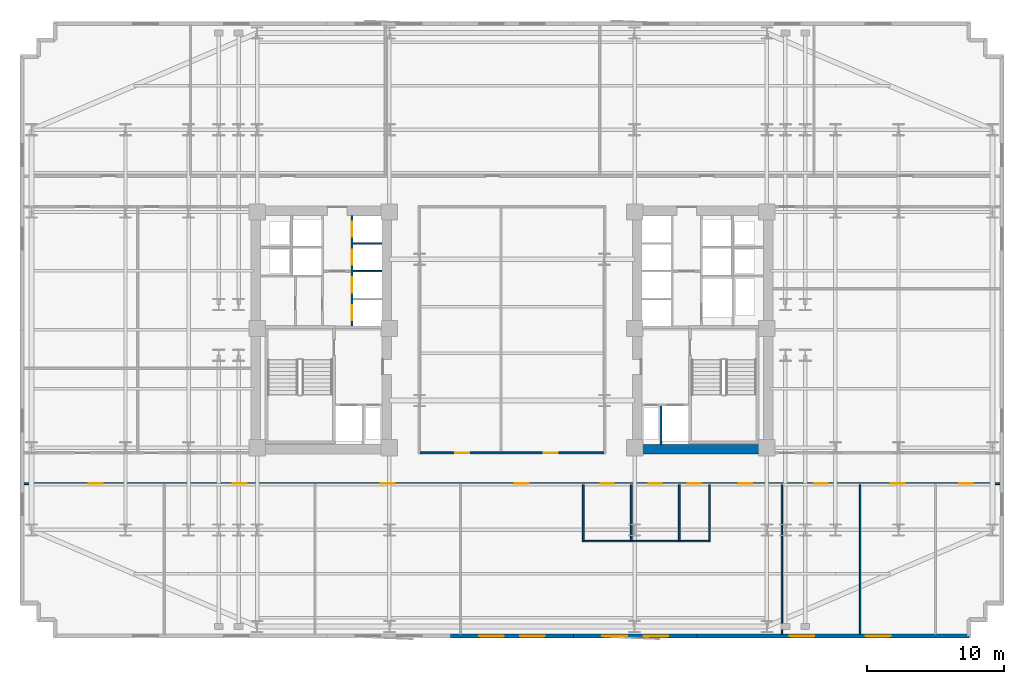
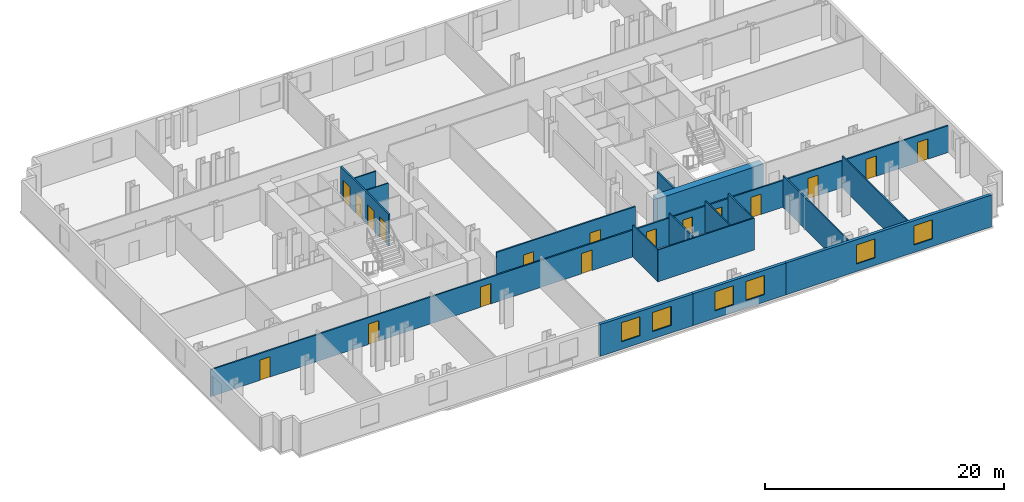
# One storey, part 5 of 10: 17 doors, 17 walls, 6 windows, 23 openings.
"""IFC4 building model written with IfcOpenShell, lengths in metres."""

from ifc_helpers import new_model, si_unit, direction, frame, frame_2d, origin, place, context, subcontext, project, spatial, rectangle, extrude, material, layer, layer_set, type_object, element, fill, save


model = new_model("IFC4")

# Units and contexts
model_context = context("Model", 3, precision=1e-05, world=origin(), true_north=direction((0.0, 1.0)))
body_context = subcontext(model_context, "Body", "Model", "MODEL_VIEW")
ifc_project = project(units=[si_unit("LENGTHUNIT", "METRE"), si_unit("AREAUNIT", "SQUARE_METRE"), si_unit("VOLUMEUNIT", "CUBIC_METRE"), si_unit("PLANEANGLEUNIT", "RADIAN"), si_unit("MASSUNIT", "GRAM", prefix="KILO")], contexts=[model_context])

# Site, building, storey
site_placement = place(None, origin())
site = spatial("IfcSite", under=ifc_project, at=site_placement, CompositionType="ELEMENT")
building_placement = place(site_placement, origin())
building = spatial("IfcBuilding", under=site, at=building_placement, Name="Velakula Bourse", CompositionType="ELEMENT")
storey_placement = place(building_placement, frame((0.0, 0.0, 48.449951171875)))
storey = spatial("IfcBuildingStorey", under=building, at=storey_placement, Name="L12", CompositionType="ELEMENT", Elevation=48.449951171875)

# Wall
ifc_material_1 = material(Name="Concrete M70 (fck 70 MPa)", Category="concrete")
ifc_layer_1 = layer(ifc_material_1, 0.699951171875, Name="Concrete M70 (fck 70 MPa)", Category="concrete")
ifc_layer_set_1 = layer_set([ifc_layer_1], Name="Concrete M70 (fck 70 MPa)")
wall_type_1 = type_object("IfcWallType", Name="WL-CORE-700", PredefinedType="SHEAR", material=ifc_layer_set_1)
wall_1_placement = place(storey_placement, frame((8.800048828125, -8.699951171875, 0.0), z_axis=(0.0, 0.0, 1.0), x_axis=(1.0, 0.0, 0.0)))
element("IfcWall", 1, at=wall_1_placement, inside=storey, type_object=wall_type_1, Name="L12 Core E Shear Wall S", PredefinedType="SHEAR", context=body_context, shape_type="SweptSolid", body=[
    extrude(rectangle(XDim=10.25, YDim=0.699951171875, at=frame_2d((5.125, 0.0))), origin(), (0.0, 0.0, 1.0), 3.27001953125),
])

# Wall, openings, windows
ifc_material_2 = material(Name="Red kilned clay facing brick masonry", Category="masonry")
ifc_layer_2 = layer(ifc_material_2, 0.280029296875, Name="Red kilned clay facing brick masonry", Category="masonry")
ifc_layer_set_2 = layer_set([ifc_layer_2], Name="Red kilned clay facing brick masonry")
wall_type_2 = type_object("IfcWallType", Name="WL-EXT-BRK-280", PredefinedType="STANDARD", material=ifc_layer_set_2)
wall_2_placement = place(storey_placement, frame((4.5, -22.340087890625, 0.0), z_axis=(0.0, 0.0, 1.0), x_axis=(-1.0, 0.0, 0.0)))
wall_2 = element("IfcWall", 2, at=wall_2_placement, inside=storey, type_object=wall_type_2, Name="L12 S Brick Spandrel Wall B3", PredefinedType="STANDARD", context=body_context, shape_type="SweptSolid", body=[
    extrude(rectangle(XDim=9.0, YDim=0.280029296875, at=frame_2d((4.5, 0.0))), origin(), (0.0, 0.0, 1.0), 3.25),
])
opening_1_placement = place(wall_2_placement, frame((2.10009765625, 0.0, 0.760009765625)))
opening_1 = element("IfcOpeningElement", 3, at=opening_1_placement, cuts=wall_2, Name="Opening W-01", PredefinedType="OPENING", context=body_context, shape_type="SweptSolid", body=[
    extrude(rectangle(XDim=1.800048828125, YDim=1.949951171875, at=frame_2d((0.89990234375, 0.97509765625))), frame((0.0, 0.14990234375, 0.0), z_axis=(0.0, -1.0, 0.0), x_axis=(1.0, 0.0, 0.0)), (0.0, 0.0, 1.0), 0.300048828125),
])
opening_2_placement = place(wall_2_placement, frame((5.10009765625, 0.0, 0.760009765625)))
opening_2 = element("IfcOpeningElement", 4, at=opening_2_placement, cuts=wall_2, Name="Opening W-01", PredefinedType="OPENING", context=body_context, shape_type="SweptSolid", body=[
    extrude(rectangle(XDim=1.800048828125, YDim=1.949951171875, at=frame_2d((0.89990234375, 0.97509765625))), frame((0.0, 0.14990234375, 0.0), z_axis=(0.0, -1.0, 0.0), x_axis=(1.0, 0.0, 0.0)), (0.0, 0.0, 1.0), 0.300048828125),
])
ifc_material_3 = material(Name="Double-glazed solar-control Low-E glass", Category="glass")
window_type = type_object("IfcWindowType", Name="WIN-TWR-1800x2100", PartitioningType="SINGLE_PANEL", PredefinedType="WINDOW", material=ifc_material_3)
window_1_placement = place(opening_1_placement, origin())
window_1 = element("IfcWindow", 5, at=window_1_placement, inside=storey, type_object=window_type, Name="L12 Deep-Set Recessed Window 1", OverallHeight=1.949951171875, OverallWidth=1.800048828125, PartitioningType="SINGLE_PANEL", PredefinedType="WINDOW", context=body_context, shape_type="SweptSolid", body=[
    extrude(rectangle(XDim=1.800048828125, YDim=1.949951171875, at=frame_2d((0.89990234375, 0.97509765625))), frame((0.0, 0.030029296875, 0.0), z_axis=(0.0, -1.0, 0.0), x_axis=(1.0, 0.0, 0.0)), (0.0, 0.0, 1.0), 0.06005859375),
])
fill(opening_1, window_1)
window_2_placement = place(opening_2_placement, origin())
window_2 = element("IfcWindow", 6, at=window_2_placement, inside=storey, type_object=window_type, Name="L12 Deep-Set Recessed Window 2", OverallHeight=1.949951171875, OverallWidth=1.800048828125, PartitioningType="SINGLE_PANEL", PredefinedType="WINDOW", context=body_context, shape_type="SweptSolid", body=[
    extrude(rectangle(XDim=1.800048828125, YDim=1.949951171875, at=frame_2d((0.89990234375, 0.97509765625))), frame((0.0, 0.030029296875, 0.0), z_axis=(0.0, -1.0, 0.0), x_axis=(1.0, 0.0, 0.0)), (0.0, 0.0, 1.0), 0.06005859375),
])
fill(opening_2, window_2)

wall_3_placement = place(storey_placement, frame((13.5, -22.340087890625, 0.0), z_axis=(0.0, 0.0, 1.0), x_axis=(-1.0, 0.0, 0.0)))
wall_3 = element("IfcWall", 7, at=wall_3_placement, inside=storey, type_object=wall_type_2, Name="L12 S Brick Spandrel Wall B4", PredefinedType="STANDARD", context=body_context, shape_type="SweptSolid", body=[
    extrude(rectangle(XDim=9.0, YDim=0.280029296875, at=frame_2d((4.5, 0.0))), origin(), (0.0, 0.0, 1.0), 3.25),
])
opening_3_placement = place(wall_3_placement, frame((2.10009765625, 0.0, 0.760009765625)))
opening_3 = element("IfcOpeningElement", 8, at=opening_3_placement, cuts=wall_3, Name="Opening W-01", PredefinedType="OPENING", context=body_context, shape_type="SweptSolid", body=[
    extrude(rectangle(XDim=1.800048828125, YDim=1.949951171875, at=frame_2d((0.89990234375, 0.97509765625))), frame((0.0, 0.14990234375, 0.0), z_axis=(0.0, -1.0, 0.0), x_axis=(1.0, 0.0, 0.0)), (0.0, 0.0, 1.0), 0.300048828125),
])
opening_4_placement = place(wall_3_placement, frame((5.10009765625, 0.0, 0.760009765625)))
opening_4 = element("IfcOpeningElement", 9, at=opening_4_placement, cuts=wall_3, Name="Opening W-01", PredefinedType="OPENING", context=body_context, shape_type="SweptSolid", body=[
    extrude(rectangle(XDim=1.800048828125, YDim=1.949951171875, at=frame_2d((0.89990234375, 0.97509765625))), frame((0.0, 0.14990234375, 0.0), z_axis=(0.0, -1.0, 0.0), x_axis=(1.0, 0.0, 0.0)), (0.0, 0.0, 1.0), 0.300048828125),
])
window_3_placement = place(opening_3_placement, origin())
window_3 = element("IfcWindow", 10, at=window_3_placement, inside=storey, type_object=window_type, Name="L12 Deep-Set Recessed Window 1", OverallHeight=1.949951171875, OverallWidth=1.800048828125, PartitioningType="SINGLE_PANEL", PredefinedType="WINDOW", context=body_context, shape_type="SweptSolid", body=[
    extrude(rectangle(XDim=1.800048828125, YDim=1.949951171875, at=frame_2d((0.89990234375, 0.97509765625))), frame((0.0, 0.030029296875, 0.0), z_axis=(0.0, -1.0, 0.0), x_axis=(1.0, 0.0, 0.0)), (0.0, 0.0, 1.0), 0.06005859375),
])
fill(opening_3, window_3)
window_4_placement = place(opening_4_placement, origin())
window_4 = element("IfcWindow", 11, at=window_4_placement, inside=storey, type_object=window_type, Name="L12 Deep-Set Recessed Window 2", OverallHeight=1.949951171875, OverallWidth=1.800048828125, PartitioningType="SINGLE_PANEL", PredefinedType="WINDOW", context=body_context, shape_type="SweptSolid", body=[
    extrude(rectangle(XDim=1.800048828125, YDim=1.949951171875, at=frame_2d((0.89990234375, 0.97509765625))), frame((0.0, 0.030029296875, 0.0), z_axis=(0.0, -1.0, 0.0), x_axis=(1.0, 0.0, 0.0)), (0.0, 0.0, 1.0), 0.06005859375),
])
fill(opening_4, window_4)

wall_4_placement = place(storey_placement, frame((33.340087890625, -22.340087890625, 0.0), z_axis=(0.0, 0.0, 1.0), x_axis=(-1.0, 0.0, 0.0)))
wall_4 = element("IfcWall", 12, at=wall_4_placement, inside=storey, type_object=wall_type_2, Name="L12 S Brick Spandrel Wall B5", PredefinedType="STANDARD", context=body_context, shape_type="SweptSolid", body=[
    extrude(rectangle(XDim=19.840087890625, YDim=0.280029296875, at=frame_2d((9.919921875, 0.0))), origin(), (0.0, 0.0, 1.0), 3.25),
])
opening_5_placement = place(wall_4_placement, frame((5.71337890625, 0.0, 0.760009765625)))
opening_5 = element("IfcOpeningElement", 13, at=opening_5_placement, cuts=wall_4, Name="Opening W-01", PredefinedType="OPENING", context=body_context, shape_type="SweptSolid", body=[
    extrude(rectangle(XDim=1.800048828125, YDim=1.949951171875, at=frame_2d((0.89990234375, 0.97509765625))), frame((0.0, 0.14990234375, 0.0), z_axis=(0.0, -1.0, 0.0), x_axis=(1.0, 0.0, 0.0)), (0.0, 0.0, 1.0), 0.300048828125),
])
opening_6_placement = place(wall_4_placement, frame((11.276611328125, 0.0, 0.760009765625)))
opening_6 = element("IfcOpeningElement", 14, at=opening_6_placement, cuts=wall_4, Name="Opening W-01", PredefinedType="OPENING", context=body_context, shape_type="SweptSolid", body=[
    extrude(rectangle(XDim=1.800048828125, YDim=1.949951171875, at=frame_2d((0.89990234375, 0.97509765625))), frame((0.0, 0.14990234375, 0.0), z_axis=(0.0, -1.0, 0.0), x_axis=(1.0, 0.0, 0.0)), (0.0, 0.0, 1.0), 0.300048828125),
])
window_5_placement = place(opening_5_placement, origin())
window_5 = element("IfcWindow", 15, at=window_5_placement, inside=storey, type_object=window_type, Name="L12 Deep-Set Recessed Window 1", OverallHeight=1.949951171875, OverallWidth=1.800048828125, PartitioningType="SINGLE_PANEL", PredefinedType="WINDOW", context=body_context, shape_type="SweptSolid", body=[
    extrude(rectangle(XDim=1.800048828125, YDim=1.949951171875, at=frame_2d((0.89990234375, 0.97509765625))), frame((0.0, 0.030029296875, 0.0), z_axis=(0.0, -1.0, 0.0), x_axis=(1.0, 0.0, 0.0)), (0.0, 0.0, 1.0), 0.06005859375),
])
fill(opening_5, window_5)
window_6_placement = place(opening_6_placement, origin())
window_6 = element("IfcWindow", 16, at=window_6_placement, inside=storey, type_object=window_type, Name="L12 Deep-Set Recessed Window 2", OverallHeight=1.949951171875, OverallWidth=1.800048828125, PartitioningType="SINGLE_PANEL", PredefinedType="WINDOW", context=body_context, shape_type="SweptSolid", body=[
    extrude(rectangle(XDim=1.800048828125, YDim=1.949951171875, at=frame_2d((0.89990234375, 0.97509765625))), frame((0.0, 0.030029296875, 0.0), z_axis=(0.0, -1.0, 0.0), x_axis=(1.0, 0.0, 0.0)), (0.0, 0.0, 1.0), 0.06005859375),
])
fill(opening_6, window_6)

# Walls
ifc_material_4 = material(Name="Fire-rated double-layer gypsum drywall partition", Category="gypsum")
ifc_layer_3 = layer(ifc_material_4, 0.1201171875, Name="Fire-rated double-layer gypsum drywall partition", Category="gypsum")
ifc_layer_set_3 = layer_set([ifc_layer_3], Name="Fire-rated double-layer gypsum drywall partition")
wall_type_3 = type_object("IfcWallType", Name="WL-PART-120", PredefinedType="STANDARD", material=ifc_layer_set_3)
for number, where, z_axis, x_axis, name in (
    (17, (-11.60009765625, 4.284912109375, 0.0), (0.0, 0.0, 1.0), (1.0, 0.0, 0.0), "L12 Interior Partition WL-CRW-L12-BDIV-1"),
    (18, (-11.60009765625, 6.31494140625, 0.0), (0.0, 0.0, 1.0), (1.0, 0.0, 0.0), "L12 Interior Partition WL-CRW-L12-BDIV-2"),
):
    element("IfcWall", number, at=place(storey_placement, frame(where, z_axis=z_axis, x_axis=x_axis)), inside=storey, type_object=wall_type_3, Name=name, PredefinedType="STANDARD", context=body_context, shape_type="SweptSolid", body=[
        extrude(rectangle(XDim=2.10009765625, YDim=0.110107421875, at=frame_2d((1.050048828125, 0.0))), origin(), (0.0, 0.0, 1.0), 3.25),
    ])
wall_5_placement = place(storey_placement, frame((5.139892578125, -15.419921875, 0.0), z_axis=(0.0, 0.0, 1.0), x_axis=(1.0, 0.0, 0.0)))
element("IfcWall", 19, at=wall_5_placement, inside=storey, type_object=wall_type_3, Name="L12 Interior Partition WL-WC-L12-BACK", PredefinedType="STANDARD", context=body_context, shape_type="SweptSolid", body=[
    extrude(rectangle(XDim=9.320068359375, YDim=0.1201171875, at=frame_2d((4.66015625, 0.0))), origin(), (0.0, 0.0, 1.0), 3.25),
])
for number, where, z_axis, x_axis, name in (
    (20, (5.199951171875, -15.419921875, 0.0), (0.0, 0.0, 1.0), (0.0, 1.0, 0.0), "L12 Interior Partition WL-WC-L12-V1"),
    (21, (8.699951171875, -15.419921875, 0.0), (0.0, 0.0, 1.0), (0.0, 1.0, 0.0), "L12 Interior Partition WL-WC-L12-V2"),
    (22, (12.199951171875, -15.419921875, 0.0), (0.0, 0.0, 1.0), (0.0, 1.0, 0.0), "L12 Interior Partition WL-WC-L12-V3"),
    (23, (14.39990234375, -15.419921875, 0.0), (0.0, 0.0, 1.0), (0.0, 1.0, 0.0), "L12 Interior Partition WL-WC-L12-V4"),
):
    element("IfcWall", number, at=place(storey_placement, frame(where, z_axis=z_axis, x_axis=x_axis)), inside=storey, type_object=wall_type_3, Name=name, PredefinedType="STANDARD", context=body_context, shape_type="SweptSolid", body=[
        extrude(rectangle(XDim=4.1298828125, YDim=0.1201171875, at=frame_2d((2.06494140625, 0.0))), origin(), (0.0, 0.0, 1.0), 3.25),
    ])
for number, where, z_axis, x_axis, name in (
    (24, (19.68994140625, -22.219970703125, 0.0), (0.0, 0.0, 1.0), (0.0, 1.0, 0.0), "L12 Interior Partition WL-INT-L12-SR-D8"),
    (25, (25.403076171875, -22.219970703125, 0.0), (0.0, 0.0, 1.0), (0.0, 1.0, 0.0), "L12 Interior Partition WL-INT-L12-SR-D9"),
):
    element("IfcWall", number, at=place(storey_placement, frame(where, z_axis=z_axis, x_axis=x_axis)), inside=storey, type_object=wall_type_3, Name=name, PredefinedType="STANDARD", context=body_context, shape_type="SweptSolid", body=[
        extrude(rectangle(XDim=10.929931640625, YDim=0.1201171875, at=frame_2d((5.46484375, 0.0))), origin(), (0.0, 0.0, 1.0), 3.25),
    ])

# Wall, openings, doors
ifc_layer_4 = layer(ifc_material_4, 0.139892578125, Name="Fire-rated double-layer gypsum drywall partition", Category="gypsum")
ifc_layer_set_4 = layer_set([ifc_layer_4], Name="Fire-rated double-layer gypsum drywall partition")
wall_type_4 = type_object("IfcWallType", Name="WL-PART-140", PredefinedType="STANDARD", material=ifc_layer_set_4)
wall_6_placement = place(storey_placement, frame((-35.6201171875, -11.219970703125, 0.0), z_axis=(0.0, 0.0, 1.0), x_axis=(1.0, 0.0, 0.0)))
wall_6 = element("IfcWall", 26, at=wall_6_placement, inside=storey, type_object=wall_type_4, Name="L12 Interior Partition WL-INT-L12-S-CORR", PredefinedType="STANDARD", context=body_context, shape_type="SweptSolid", body=[
    extrude(rectangle(XDim=71.240234375, YDim=0.139892578125, at=frame_2d((35.6201171875, 0.0))), origin(), (0.0, 0.0, 1.0), 2.7451171875),
])
opening_7_placement = place(wall_6_placement, frame((42.110107421875, 0.0, 0.0)))
opening_7 = element("IfcOpeningElement", 27, at=opening_7_placement, cuts=wall_6, Name="Opening D-WT1", PredefinedType="OPENING", context=body_context, shape_type="SweptSolid", body=[
    extrude(rectangle(XDim=0.919921875, YDim=2.080078125, at=frame_2d((0.4599609375, 1.0400390625))), frame((0.0, 0.079833984375, 0.0), z_axis=(0.0, -1.0, 0.0), x_axis=(1.0, 0.0, 0.0)), (0.0, 0.0, 1.0), 0.159912109375),
])
opening_8_placement = place(wall_6_placement, frame((45.610107421875, 0.0, 0.0)))
opening_8 = element("IfcOpeningElement", 28, at=opening_8_placement, cuts=wall_6, Name="Opening D-WT1", PredefinedType="OPENING", context=body_context, shape_type="SweptSolid", body=[
    extrude(rectangle(XDim=0.919921875, YDim=2.080078125, at=frame_2d((0.4599609375, 1.0400390625))), frame((0.0, 0.079833984375, 0.0), z_axis=(0.0, -1.0, 0.0), x_axis=(1.0, 0.0, 0.0)), (0.0, 0.0, 1.0), 0.159912109375),
])
opening_9_placement = place(wall_6_placement, frame((48.4599609375, 0.0, 0.0)))
opening_9 = element("IfcOpeningElement", 29, at=opening_9_placement, cuts=wall_6, Name="Opening D-WC1", PredefinedType="OPENING", context=body_context, shape_type="SweptSolid", body=[
    extrude(rectangle(XDim=0.919921875, YDim=2.080078125, at=frame_2d((0.4599609375, 1.0400390625))), frame((0.0, 0.079833984375, 0.0), z_axis=(0.0, -1.0, 0.0), x_axis=(1.0, 0.0, 0.0)), (0.0, 0.0, 1.0), 0.159912109375),
])
opening_10_placement = place(wall_6_placement, frame((4.7509765625, 0.0, 0.0)))
opening_10 = element("IfcOpeningElement", 30, at=opening_10_placement, cuts=wall_6, Name="Opening D-OF1", PredefinedType="OPENING", context=body_context, shape_type="SweptSolid", body=[
    extrude(rectangle(XDim=1.0, YDim=2.080078125, at=frame_2d((0.5, 1.0400390625))), frame((0.0, 0.079833984375, 0.0), z_axis=(0.0, -1.0, 0.0), x_axis=(1.0, 0.0, 0.0)), (0.0, 0.0, 1.0), 0.159912109375),
])
opening_11_placement = place(wall_6_placement, frame((15.25244140625, 0.0, 0.0)))
opening_11 = element("IfcOpeningElement", 31, at=opening_11_placement, cuts=wall_6, Name="Opening D-OF1", PredefinedType="OPENING", context=body_context, shape_type="SweptSolid", body=[
    extrude(rectangle(XDim=1.0, YDim=2.080078125, at=frame_2d((0.5, 1.0400390625))), frame((0.0, 0.079833984375, 0.0), z_axis=(0.0, -1.0, 0.0), x_axis=(1.0, 0.0, 0.0)), (0.0, 0.0, 1.0), 0.159912109375),
])
opening_12_placement = place(wall_6_placement, frame((26.053955078125, 0.0, 0.0)))
opening_12 = element("IfcOpeningElement", 32, at=opening_12_placement, cuts=wall_6, Name="Opening D-OF1", PredefinedType="OPENING", context=body_context, shape_type="SweptSolid", body=[
    extrude(rectangle(XDim=1.0, YDim=2.080078125, at=frame_2d((0.5, 1.0400390625))), frame((0.0, 0.079833984375, 0.0), z_axis=(0.0, -1.0, 0.0), x_axis=(1.0, 0.0, 0.0)), (0.0, 0.0, 1.0), 0.159912109375),
])
opening_13_placement = place(wall_6_placement, frame((35.83642578125, 0.0, 0.0)))
opening_13 = element("IfcOpeningElement", 33, at=opening_13_placement, cuts=wall_6, Name="Opening D-OF1", PredefinedType="OPENING", context=body_context, shape_type="SweptSolid", body=[
    extrude(rectangle(XDim=1.0, YDim=2.080078125, at=frame_2d((0.5, 1.0400390625))), frame((0.0, 0.079833984375, 0.0), z_axis=(0.0, -1.0, 0.0), x_axis=(1.0, 0.0, 0.0)), (0.0, 0.0, 1.0), 0.159912109375),
])
opening_14_placement = place(wall_6_placement, frame((52.1650390625, 0.0, 0.0)))
opening_14 = element("IfcOpeningElement", 34, at=opening_14_placement, cuts=wall_6, Name="Opening D-OF1", PredefinedType="OPENING", context=body_context, shape_type="SweptSolid", body=[
    extrude(rectangle(XDim=1.0, YDim=2.080078125, at=frame_2d((0.5, 1.0400390625))), frame((0.0, 0.079833984375, 0.0), z_axis=(0.0, -1.0, 0.0), x_axis=(1.0, 0.0, 0.0)), (0.0, 0.0, 1.0), 0.159912109375),
])
opening_15_placement = place(wall_6_placement, frame((57.66650390625, 0.0, 0.0)))
opening_15 = element("IfcOpeningElement", 35, at=opening_15_placement, cuts=wall_6, Name="Opening D-OF1", PredefinedType="OPENING", context=body_context, shape_type="SweptSolid", body=[
    extrude(rectangle(XDim=1.0, YDim=2.080078125, at=frame_2d((0.5, 1.0400390625))), frame((0.0, 0.079833984375, 0.0), z_axis=(0.0, -1.0, 0.0), x_axis=(1.0, 0.0, 0.0)), (0.0, 0.0, 1.0), 0.159912109375),
])
opening_16_placement = place(wall_6_placement, frame((63.27392578125, 0.0, 0.0)))
opening_16 = element("IfcOpeningElement", 36, at=opening_16_placement, cuts=wall_6, Name="Opening D-OF1", PredefinedType="OPENING", context=body_context, shape_type="SweptSolid", body=[
    extrude(rectangle(XDim=1.0, YDim=2.080078125, at=frame_2d((0.5, 1.0400390625))), frame((0.0, 0.079833984375, 0.0), z_axis=(0.0, -1.0, 0.0), x_axis=(1.0, 0.0, 0.0)), (0.0, 0.0, 1.0), 0.159912109375),
])
opening_17_placement = place(wall_6_placement, frame((68.256591796875, 0.0, 0.0)))
opening_17 = element("IfcOpeningElement", 37, at=opening_17_placement, cuts=wall_6, Name="Opening D-OF1", PredefinedType="OPENING", context=body_context, shape_type="SweptSolid", body=[
    extrude(rectangle(XDim=1.0, YDim=2.080078125, at=frame_2d((0.5, 1.0400390625))), frame((0.0, 0.079833984375, 0.0), z_axis=(0.0, -1.0, 0.0), x_axis=(1.0, 0.0, 0.0)), (0.0, 0.0, 1.0), 0.159912109375),
])
ifc_material_5 = material(Name="Fire-rated hardwood flush architectural door", Category="wood")
door_type_1 = type_object("IfcDoorType", Name="DR-OFF-1000", OperationType="NOTDEFINED", PredefinedType="DOOR", material=ifc_material_5)
door_1_placement = place(opening_10_placement, origin())
door_1 = element("IfcDoor", 38, at=door_1_placement, inside=storey, type_object=door_type_1, Name="L12 Sky-Garden Veranda Lounge Door", OperationType="SINGLE_SWING_LEFT", OverallHeight=2.080078125, OverallWidth=1.0, PredefinedType="DOOR", context=body_context, shape_type="SweptSolid", body=[
    extrude(rectangle(XDim=1.0, YDim=2.080078125, at=frame_2d((0.5, 1.0400390625))), frame((0.0, 0.02490234375, 0.0), z_axis=(0.0, -1.0, 0.0), x_axis=(1.0, 0.0, 0.0)), (0.0, 0.0, 1.0), 0.050048828125),
])
fill(opening_10, door_1)
door_2_placement = place(opening_11_placement, origin())
door_2 = element("IfcDoor", 39, at=door_2_placement, inside=storey, type_object=door_type_1, Name="L12 Bullion Assay Office Door", OperationType="SINGLE_SWING_RIGHT", OverallHeight=2.080078125, OverallWidth=1.0, PredefinedType="DOOR", context=body_context, shape_type="SweptSolid", body=[
    extrude(rectangle(XDim=1.0, YDim=2.080078125, at=frame_2d((0.5, 1.0400390625))), frame((0.0, 0.02490234375, 0.0), z_axis=(0.0, -1.0, 0.0), x_axis=(1.0, 0.0, 0.0)), (0.0, 0.0, 1.0), 0.050048828125),
])
fill(opening_11, door_2)
door_3_placement = place(opening_12_placement, origin())
door_3 = element("IfcDoor", 40, at=door_3_placement, inside=storey, type_object=door_type_1, Name="L12 Listing Committee Chamber Door", OperationType="SINGLE_SWING_LEFT", OverallHeight=2.080078125, OverallWidth=1.0, PredefinedType="DOOR", context=body_context, shape_type="SweptSolid", body=[
    extrude(rectangle(XDim=1.0, YDim=2.080078125, at=frame_2d((0.5, 1.0400390625))), frame((0.0, 0.02490234375, 0.0), z_axis=(0.0, -1.0, 0.0), x_axis=(1.0, 0.0, 0.0)), (0.0, 0.0, 1.0), 0.050048828125),
])
fill(opening_12, door_3)
door_4_placement = place(opening_13_placement, origin())
door_4 = element("IfcDoor", 41, at=door_4_placement, inside=storey, type_object=door_type_1, Name="L12 Traders Pantry Door", OperationType="SINGLE_SWING_RIGHT", OverallHeight=2.080078125, OverallWidth=1.0, PredefinedType="DOOR", context=body_context, shape_type="SweptSolid", body=[
    extrude(rectangle(XDim=1.0, YDim=2.080078125, at=frame_2d((0.5, 1.0400390625))), frame((0.0, 0.02490234375, 0.0), z_axis=(0.0, -1.0, 0.0), x_axis=(1.0, 0.0, 0.0)), (0.0, 0.0, 1.0), 0.050048828125),
])
fill(opening_13, door_4)
door_5_placement = place(opening_14_placement, origin())
door_5 = element("IfcDoor", 42, at=door_5_placement, inside=storey, type_object=door_type_1, Name="L12 Commodity Futures Workspace Door", OperationType="SINGLE_SWING_LEFT", OverallHeight=2.080078125, OverallWidth=1.0, PredefinedType="DOOR", context=body_context, shape_type="SweptSolid", body=[
    extrude(rectangle(XDim=1.0, YDim=2.080078125, at=frame_2d((0.5, 1.0400390625))), frame((0.0, 0.02490234375, 0.0), z_axis=(0.0, -1.0, 0.0), x_axis=(1.0, 0.0, 0.0)), (0.0, 0.0, 1.0), 0.050048828125),
])
fill(opening_14, door_5)
door_6_placement = place(opening_15_placement, origin())
door_6 = element("IfcDoor", 43, at=door_6_placement, inside=storey, type_object=door_type_1, Name="L12 Issuer Relations Office Door", OperationType="SINGLE_SWING_RIGHT", OverallHeight=2.080078125, OverallWidth=1.0, PredefinedType="DOOR", context=body_context, shape_type="SweptSolid", body=[
    extrude(rectangle(XDim=1.0, YDim=2.080078125, at=frame_2d((0.5, 1.0400390625))), frame((0.0, 0.02490234375, 0.0), z_axis=(0.0, -1.0, 0.0), x_axis=(1.0, 0.0, 0.0)), (0.0, 0.0, 1.0), 0.050048828125),
])
fill(opening_15, door_6)
door_7_placement = place(opening_16_placement, origin())
door_7 = element("IfcDoor", 44, at=door_7_placement, inside=storey, type_object=door_type_1, Name="L12 Sky-Garden Veranda Lounge Door", OperationType="SINGLE_SWING_LEFT", OverallHeight=2.080078125, OverallWidth=1.0, PredefinedType="DOOR", context=body_context, shape_type="SweptSolid", body=[
    extrude(rectangle(XDim=1.0, YDim=2.080078125, at=frame_2d((0.5, 1.0400390625))), frame((0.0, 0.02490234375, 0.0), z_axis=(0.0, -1.0, 0.0), x_axis=(1.0, 0.0, 0.0)), (0.0, 0.0, 1.0), 0.050048828125),
])
fill(opening_16, door_7)
door_8_placement = place(opening_17_placement, origin())
door_8 = element("IfcDoor", 45, at=door_8_placement, inside=storey, type_object=door_type_1, Name="L12 Bullion Assay Office Door", OperationType="SINGLE_SWING_RIGHT", OverallHeight=2.080078125, OverallWidth=1.0, PredefinedType="DOOR", context=body_context, shape_type="SweptSolid", body=[
    extrude(rectangle(XDim=1.0, YDim=2.080078125, at=frame_2d((0.5, 1.0400390625))), frame((0.0, 0.02490234375, 0.0), z_axis=(0.0, -1.0, 0.0), x_axis=(1.0, 0.0, 0.0)), (0.0, 0.0, 1.0), 0.050048828125),
])
fill(opening_17, door_8)
door_type_2 = type_object("IfcDoorType", Name="DR-WC-950", OperationType="NOTDEFINED", PredefinedType="DOOR", material=ifc_material_5)
door_9_placement = place(opening_7_placement, origin())
door_9 = element("IfcDoor", 46, at=door_9_placement, inside=storey, type_object=door_type_2, Name="L12 Male Staff Toilet Door", OperationType="SINGLE_SWING_RIGHT", OverallHeight=2.080078125, OverallWidth=0.919921875, PredefinedType="DOOR", context=body_context, shape_type="SweptSolid", body=[
    extrude(rectangle(XDim=0.919921875, YDim=2.080078125, at=frame_2d((0.4599609375, 1.0400390625))), frame((0.0, 0.02490234375, 0.0), z_axis=(0.0, -1.0, 0.0), x_axis=(1.0, 0.0, 0.0)), (0.0, 0.0, 1.0), 0.050048828125),
])
fill(opening_7, door_9)
door_10_placement = place(opening_8_placement, origin())
door_10 = element("IfcDoor", 47, at=door_10_placement, inside=storey, type_object=door_type_2, Name="L12 Female Staff Toilet Door", OperationType="SINGLE_SWING_LEFT", OverallHeight=2.080078125, OverallWidth=0.919921875, PredefinedType="DOOR", context=body_context, shape_type="SweptSolid", body=[
    extrude(rectangle(XDim=0.919921875, YDim=2.080078125, at=frame_2d((0.4599609375, 1.0400390625))), frame((0.0, 0.02490234375, 0.0), z_axis=(0.0, -1.0, 0.0), x_axis=(1.0, 0.0, 0.0)), (0.0, 0.0, 1.0), 0.050048828125),
])
fill(opening_8, door_10)
door_11_placement = place(opening_9_placement, origin())
door_11 = element("IfcDoor", 48, at=door_11_placement, inside=storey, type_object=door_type_2, Name="L12 Accessible WC Door", OperationType="SINGLE_SWING_RIGHT", OverallHeight=2.080078125, OverallWidth=0.919921875, PredefinedType="DOOR", context=body_context, shape_type="SweptSolid", body=[
    extrude(rectangle(XDim=0.919921875, YDim=2.080078125, at=frame_2d((0.4599609375, 1.0400390625))), frame((0.0, 0.02490234375, 0.0), z_axis=(0.0, -1.0, 0.0), x_axis=(1.0, 0.0, 0.0)), (0.0, 0.0, 1.0), 0.050048828125),
])
fill(opening_9, door_11)

wall_7_placement = place(storey_placement, frame((-6.7099609375, -8.97998046875, 0.0), z_axis=(0.0, 0.0, 1.0), x_axis=(1.0, 0.0, 0.0)))
wall_7 = element("IfcWall", 49, at=wall_7_placement, inside=storey, type_object=wall_type_4, Name="L12 Interior Partition WL-INT-L12-MID-S", PredefinedType="STANDARD", context=body_context, shape_type="SweptSolid", body=[
    extrude(rectangle(XDim=13.419921875, YDim=0.139892578125, at=frame_2d((6.7099609375, 0.0))), origin(), (0.0, 0.0, 1.0), 3.25),
])
opening_18_placement = place(wall_7_placement, frame((2.5810546875, 0.0, 0.0)))
opening_18 = element("IfcOpeningElement", 50, at=opening_18_placement, cuts=wall_7, Name="Opening D-OF1", PredefinedType="OPENING", context=body_context, shape_type="SweptSolid", body=[
    extrude(rectangle(XDim=1.0, YDim=2.080078125, at=frame_2d((0.5, 1.0400390625))), frame((0.0, 0.079833984375, 0.0), z_axis=(0.0, -1.0, 0.0), x_axis=(1.0, 0.0, 0.0)), (0.0, 0.0, 1.0), 0.159912109375),
])
opening_19_placement = place(wall_7_placement, frame((9.0390625, 0.0, 0.0)))
opening_19 = element("IfcOpeningElement", 51, at=opening_19_placement, cuts=wall_7, Name="Opening D-OF1", PredefinedType="OPENING", context=body_context, shape_type="SweptSolid", body=[
    extrude(rectangle(XDim=1.0, YDim=2.080078125, at=frame_2d((0.5, 1.0400390625))), frame((0.0, 0.079833984375, 0.0), z_axis=(0.0, -1.0, 0.0), x_axis=(1.0, 0.0, 0.0)), (0.0, 0.0, 1.0), 0.159912109375),
])
door_12_placement = place(opening_18_placement, origin())
door_12 = element("IfcDoor", 52, at=door_12_placement, inside=storey, type_object=door_type_1, Name="L12 Central Clearing Workspace West Door", OperationType="SINGLE_SWING_LEFT", OverallHeight=2.080078125, OverallWidth=1.0, PredefinedType="DOOR", context=body_context, shape_type="SweptSolid", body=[
    extrude(rectangle(XDim=1.0, YDim=2.080078125, at=frame_2d((0.5, 1.0400390625))), frame((0.0, 0.02490234375, 0.0), z_axis=(0.0, -1.0, 0.0), x_axis=(1.0, 0.0, 0.0)), (0.0, 0.0, 1.0), 0.050048828125),
])
fill(opening_18, door_12)
door_13_placement = place(opening_19_placement, origin())
door_13 = element("IfcDoor", 53, at=door_13_placement, inside=storey, type_object=door_type_1, Name="L12 Central Arbitration Room East Door", OperationType="SINGLE_SWING_RIGHT", OverallHeight=2.080078125, OverallWidth=1.0, PredefinedType="DOOR", context=body_context, shape_type="SweptSolid", body=[
    extrude(rectangle(XDim=1.0, YDim=2.080078125, at=frame_2d((0.5, 1.0400390625))), frame((0.0, 0.02490234375, 0.0), z_axis=(0.0, -1.0, 0.0), x_axis=(1.0, 0.0, 0.0)), (0.0, 0.0, 1.0), 0.050048828125),
])
fill(opening_19, door_13)

ifc_material_6 = material(Name="Autoclaved aerated concrete blockwork masonry", Category="masonry")
ifc_layer_5 = layer(ifc_material_6, 0.14990234375, Name="Autoclaved aerated concrete blockwork masonry", Category="masonry")
ifc_layer_set_5 = layer_set([ifc_layer_5], Name="Autoclaved aerated concrete blockwork masonry")
wall_type_5 = type_object("IfcWallType", Name="WL-SHAFT-150", PredefinedType="STANDARD", material=ifc_layer_set_5)
wall_8_placement = place(storey_placement, frame((-11.675048828125, 0.27001953125, 0.0), z_axis=(0.0, 0.0, 1.0), x_axis=(0.0, 1.0, 0.0)))
wall_8 = element("IfcWall", 54, at=wall_8_placement, inside=storey, type_object=wall_type_5, Name="L12 Interior Partition WL-CRW-L12-BANK-F", PredefinedType="STANDARD", context=body_context, shape_type="SweptSolid", body=[
    extrude(rectangle(XDim=8.080078125, YDim=0.14990234375, at=frame_2d((4.0400390625, 0.0))), origin(), (0.0, 0.0, 1.0), 3.25),
])
opening_20_placement = place(wall_8_placement, frame((0.419921875, 0.0, 0.0)))
opening_20 = element("IfcOpeningElement", 55, at=opening_20_placement, cuts=wall_8, Name="Opening LD-P1", PredefinedType="OPENING", context=body_context, shape_type="SweptSolid", body=[
    extrude(rectangle(XDim=1.10009765625, YDim=2.10009765625, at=frame_2d((0.550048828125, 1.050048828125))), frame((0.0, 0.0849609375, 0.0), z_axis=(0.0, -1.0, 0.0), x_axis=(1.0, 0.0, 0.0)), (0.0, 0.0, 1.0), 0.169921875),
])
opening_21_placement = place(wall_8_placement, frame((2.449951171875, 0.0, 0.0)))
opening_21 = element("IfcOpeningElement", 56, at=opening_21_placement, cuts=wall_8, Name="Opening LD-P2", PredefinedType="OPENING", context=body_context, shape_type="SweptSolid", body=[
    extrude(rectangle(XDim=1.10009765625, YDim=2.10009765625, at=frame_2d((0.550048828125, 1.050048828125))), frame((0.0, 0.0849609375, 0.0), z_axis=(0.0, -1.0, 0.0), x_axis=(1.0, 0.0, 0.0)), (0.0, 0.0, 1.0), 0.169921875),
])
opening_22_placement = place(wall_8_placement, frame((4.47998046875, 0.0, 0.0)))
opening_22 = element("IfcOpeningElement", 57, at=opening_22_placement, cuts=wall_8, Name="Opening LD-P3", PredefinedType="OPENING", context=body_context, shape_type="SweptSolid", body=[
    extrude(rectangle(XDim=1.10009765625, YDim=2.10009765625, at=frame_2d((0.550048828125, 1.050048828125))), frame((0.0, 0.0849609375, 0.0), z_axis=(0.0, -1.0, 0.0), x_axis=(1.0, 0.0, 0.0)), (0.0, 0.0, 1.0), 0.169921875),
])
opening_23_placement = place(wall_8_placement, frame((6.510009765625, 0.0, 0.0)))
opening_23 = element("IfcOpeningElement", 58, at=opening_23_placement, cuts=wall_8, Name="Opening LD-P4", PredefinedType="OPENING", context=body_context, shape_type="SweptSolid", body=[
    extrude(rectangle(XDim=1.10009765625, YDim=2.10009765625, at=frame_2d((0.550048828125, 1.050048828125))), frame((0.0, 0.0849609375, 0.0), z_axis=(0.0, -1.0, 0.0), x_axis=(1.0, 0.0, 0.0)), (0.0, 0.0, 1.0), 0.169921875),
])
ifc_material_7 = material(Name="Brushed grade 316 stainless steel", Category="steel")
door_type_3 = type_object("IfcDoorType", Name="DR-SLIDE-LD-1100", OperationType="DOUBLE_DOOR_SLIDING", PredefinedType="DOOR", material=ifc_material_7)
door_14_placement = place(opening_20_placement, origin())
door_14 = element("IfcDoor", 59, at=door_14_placement, inside=storey, type_object=door_type_3, Name="L12 Passenger Lift P1 Sliding Landing Door", OperationType="DOUBLE_DOOR_SLIDING", OverallHeight=2.10009765625, OverallWidth=1.10009765625, PredefinedType="DOOR", context=body_context, shape_type="SweptSolid", body=[
    extrude(rectangle(XDim=1.10009765625, YDim=2.10009765625, at=frame_2d((0.550048828125, 1.050048828125))), frame((0.0, 0.02490234375, 0.0), z_axis=(0.0, -1.0, 0.0), x_axis=(1.0, 0.0, 0.0)), (0.0, 0.0, 1.0), 0.050048828125),
])
fill(opening_20, door_14)
door_15_placement = place(opening_21_placement, origin())
door_15 = element("IfcDoor", 60, at=door_15_placement, inside=storey, type_object=door_type_3, Name="L12 Passenger Lift P2 Sliding Landing Door", OperationType="DOUBLE_DOOR_SLIDING", OverallHeight=2.10009765625, OverallWidth=1.10009765625, PredefinedType="DOOR", context=body_context, shape_type="SweptSolid", body=[
    extrude(rectangle(XDim=1.10009765625, YDim=2.10009765625, at=frame_2d((0.550048828125, 1.050048828125))), frame((0.0, 0.02490234375, 0.0), z_axis=(0.0, -1.0, 0.0), x_axis=(1.0, 0.0, 0.0)), (0.0, 0.0, 1.0), 0.050048828125),
])
fill(opening_21, door_15)
door_16_placement = place(opening_22_placement, origin())
door_16 = element("IfcDoor", 61, at=door_16_placement, inside=storey, type_object=door_type_3, Name="L12 Passenger Lift P3 Sliding Landing Door", OperationType="DOUBLE_DOOR_SLIDING", OverallHeight=2.10009765625, OverallWidth=1.10009765625, PredefinedType="DOOR", context=body_context, shape_type="SweptSolid", body=[
    extrude(rectangle(XDim=1.10009765625, YDim=2.10009765625, at=frame_2d((0.550048828125, 1.050048828125))), frame((0.0, 0.02490234375, 0.0), z_axis=(0.0, -1.0, 0.0), x_axis=(1.0, 0.0, 0.0)), (0.0, 0.0, 1.0), 0.050048828125),
])
fill(opening_22, door_16)
door_17_placement = place(opening_23_placement, origin())
door_17 = element("IfcDoor", 62, at=door_17_placement, inside=storey, type_object=door_type_3, Name="L12 Passenger Lift P4 Sliding Landing Door", OperationType="DOUBLE_DOOR_SLIDING", OverallHeight=2.10009765625, OverallWidth=1.10009765625, PredefinedType="DOOR", context=body_context, shape_type="SweptSolid", body=[
    extrude(rectangle(XDim=1.10009765625, YDim=2.10009765625, at=frame_2d((0.550048828125, 1.050048828125))), frame((0.0, 0.02490234375, 0.0), z_axis=(0.0, -1.0, 0.0), x_axis=(1.0, 0.0, 0.0)), (0.0, 0.0, 1.0), 0.050048828125),
])
fill(opening_23, door_17)

# Wall
wall_9_placement = place(storey_placement, frame((10.875, -8.35009765625, 0.0), z_axis=(0.0, 0.0, 1.0), x_axis=(0.0, 1.0, 0.0)))
element("IfcWall", 63, at=wall_9_placement, inside=storey, type_object=wall_type_5, Name="L12 Interior Partition WL-CRE-L12-FR-DIV", PredefinedType="STANDARD", context=body_context, shape_type="SweptSolid", body=[
    extrude(rectangle(XDim=2.800048828125, YDim=0.14990234375, at=frame_2d((1.39990234375, 0.0))), origin(), (0.0, 0.0, 1.0), 3.25),
])

save(model, "model.ifc")
